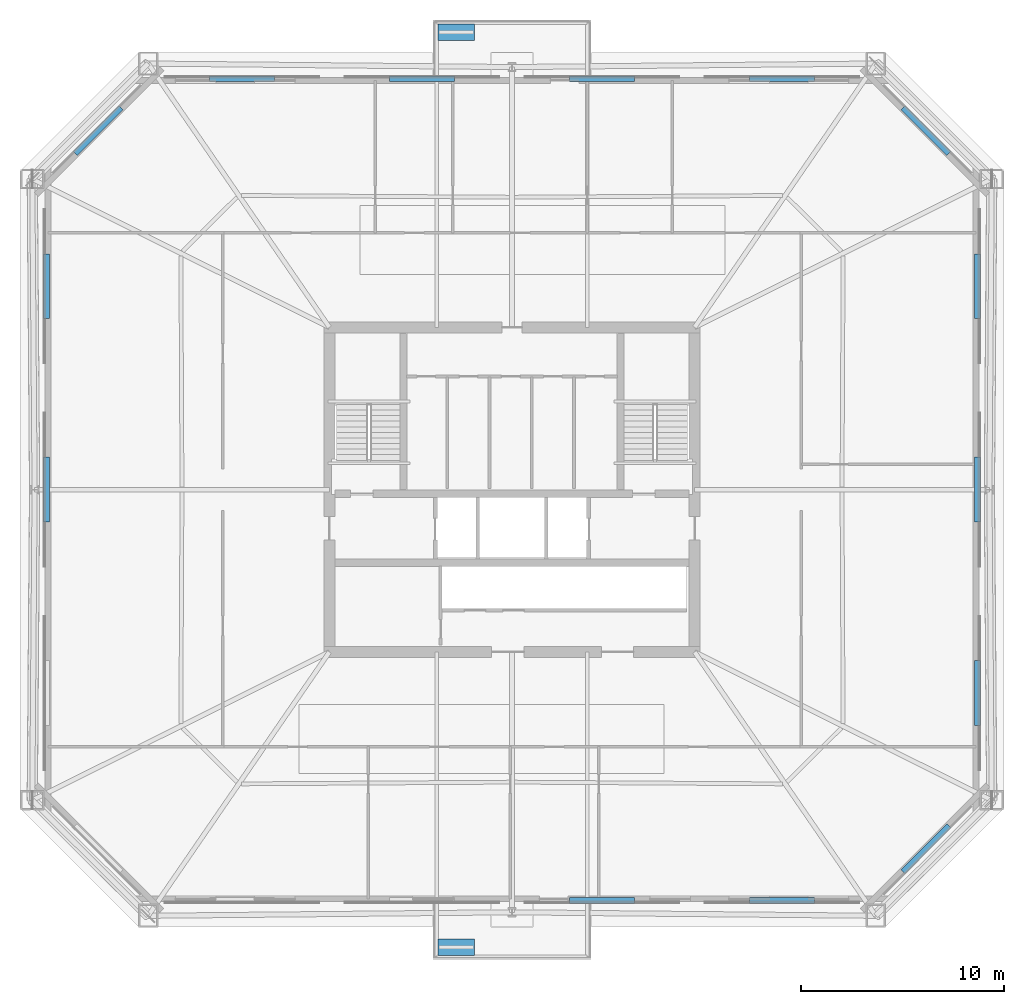
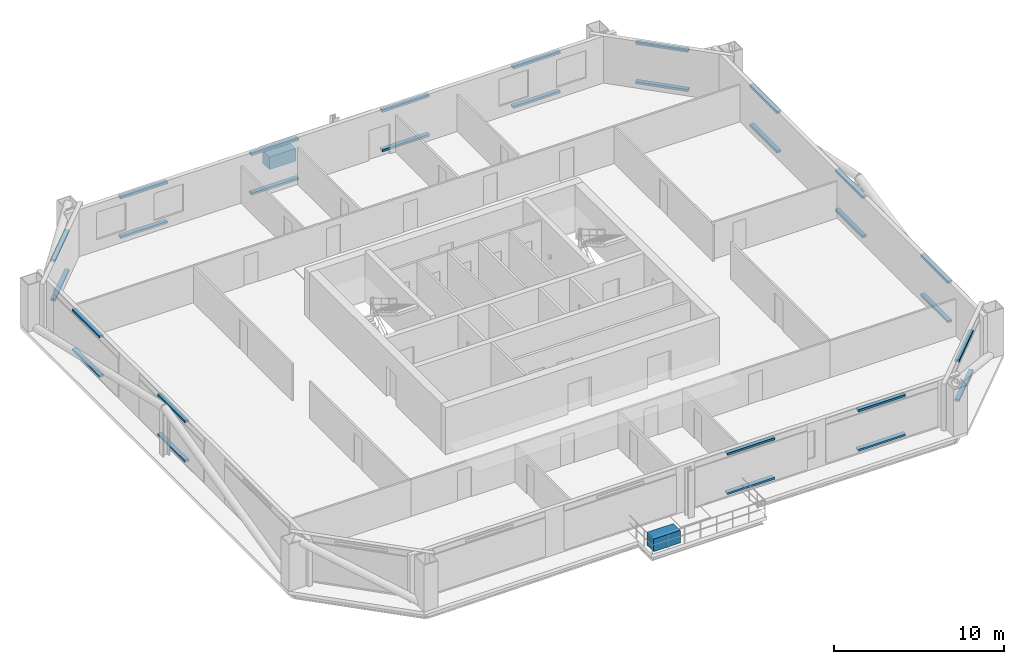
# One storey, part 5 of 7: 30 discrete accessories.
"""IFC4 building model written with IfcOpenShell, lengths in metres."""

from ifc_helpers import new_model, si_unit, direction, frame, origin, origin_2d, place, context, subcontext, project, spatial, rectangle, extrude, material, type_object, element, save


model = new_model("IFC4")

# Units and contexts
model_context = context("Model", 3, precision=1e-05, world=origin(), true_north=direction((0.0, 1.0)))
body_context = subcontext(model_context, "Body", "Model", "MODEL_VIEW")
ifc_project = project(units=[si_unit("LENGTHUNIT", "METRE"), si_unit("AREAUNIT", "SQUARE_METRE"), si_unit("VOLUMEUNIT", "CUBIC_METRE"), si_unit("PLANEANGLEUNIT", "RADIAN"), si_unit("MASSUNIT", "GRAM", prefix="KILO")], contexts=[model_context])

# Site, building, storey
site_placement = place(None, origin())
site = spatial("IfcSite", under=ifc_project, at=site_placement, CompositionType="ELEMENT")
building_placement = place(site_placement, origin())
building = spatial("IfcBuilding", under=site, at=building_placement, Name="Caelvoria Tower", CompositionType="ELEMENT")
storey_placement = place(building_placement, frame((0.0, 0.0, 106.0)))
storey = spatial("IfcBuildingStorey", under=building, at=storey_placement, Name="L27", CompositionType="ELEMENT", Elevation=106.0)

# Discrete accessories
ifc_material_1 = material(Name="Anodised Bronze Stainless Bracket", Category="bronze")
discrete_accessory_type_1 = type_object("IfcDiscreteAccessoryType", Name="Solar Screen Outrigger Support Bracket", PredefinedType="BRACKET", material=ifc_material_1)
for number, where, z_axis, x_axis, name in (
    (1, (50.43505859375, 11.7529296875, 0.240234375), (0.0, 0.0, 1.0), (1.0, 0.0, 0.0), "Solar Screen Bracket L27-E0-02"),
    (2, (50.43505859375, 11.7529296875, 3.06005859375), (0.0, 0.0, 1.0), (1.0, 0.0, 0.0), "Upper Screen Band Bracket L27-E0-02"),
    (3, (59.304931640625, 11.7529296875, 0.240234375), (0.0, 0.0, 1.0), (1.0, 0.0, 0.0), "Solar Screen Bracket L27-E0-03"),
    (4, (59.304931640625, 11.7529296875, 3.06005859375), (0.0, 0.0, 1.0), (1.0, 0.0, 0.0), "Upper Screen Band Bracket L27-E0-03"),
    (5, (66.403564453125, 14.29638671875, 0.240234375), (0.0, 0.0, 1.0), (0.707106781187, 0.707106781187, 0.0), "Solar Screen Bracket L27-E1-00"),
    (6, (66.403564453125, 14.29638671875, 3.06005859375), (0.0, 0.0, 1.0), (0.707106781187, 0.707106781187, 0.0), "Upper Screen Band Bracket L27-E1-00"),
    (7, (68.947021484375, 21.973388671875, 0.240234375), (0.0, 0.0, 1.0), (0.0, 1.0, 0.0), "Solar Screen Bracket L27-E2-00"),
    (8, (68.947021484375, 21.973388671875, 3.06005859375), (0.0, 0.0, 1.0), (0.0, 1.0, 0.0), "Upper Screen Band Bracket L27-E2-00"),
    (9, (68.947021484375, 32.0, 0.240234375), (0.0, 0.0, 1.0), (0.0, 1.0, 0.0), "Solar Screen Bracket L27-E2-01"),
    (10, (68.947021484375, 32.0, 3.06005859375), (0.0, 0.0, 1.0), (0.0, 1.0, 0.0), "Upper Screen Band Bracket L27-E2-01"),
    (11, (68.947021484375, 42.026611328125, 0.240234375), (0.0, 0.0, 1.0), (0.0, 1.0, 0.0), "Solar Screen Bracket L27-E2-02"),
    (12, (68.947021484375, 42.026611328125, 3.06005859375), (0.0, 0.0, 1.0), (0.0, 1.0, 0.0), "Upper Screen Band Bracket L27-E2-02"),
    (13, (66.403564453125, 49.70361328125, 0.240234375), (0.0, 0.0, 1.0), (-0.707106781187, 0.707106781187, 0.0), "Solar Screen Bracket L27-E3-00"),
    (14, (66.403564453125, 49.70361328125, 3.06005859375), (0.0, 0.0, 1.0), (-0.707106781187, 0.707106781187, 0.0), "Upper Screen Band Bracket L27-E3-00"),
    (15, (59.304931640625, 52.2470703125, 0.240234375), (0.0, 0.0, 1.0), (-1.0, 0.0, 0.0), "Solar Screen Bracket L27-E4-00"),
    (16, (59.304931640625, 52.2470703125, 3.06005859375), (0.0, 0.0, 1.0), (-1.0, 0.0, 0.0), "Upper Screen Band Bracket L27-E4-00"),
    (17, (50.43505859375, 52.2470703125, 0.240234375), (0.0, 0.0, 1.0), (-1.0, 0.0, 0.0), "Solar Screen Bracket L27-E4-01"),
    (18, (50.43505859375, 52.2470703125, 3.06005859375), (0.0, 0.0, 1.0), (-1.0, 0.0, 0.0), "Upper Screen Band Bracket L27-E4-01"),
    (19, (41.56494140625, 52.2470703125, 0.240234375), (0.0, 0.0, 1.0), (-1.0, 0.0, 0.0), "Solar Screen Bracket L27-E4-02"),
    (20, (41.56494140625, 52.2470703125, 3.06005859375), (0.0, 0.0, 1.0), (-1.0, 0.0, 0.0), "Upper Screen Band Bracket L27-E4-02"),
    (21, (32.695068359375, 52.2470703125, 0.240234375), (0.0, 0.0, 1.0), (-1.0, 0.0, 0.0), "Solar Screen Bracket L27-E4-03"),
    (22, (32.695068359375, 52.2470703125, 3.06005859375), (0.0, 0.0, 1.0), (-1.0, 0.0, 0.0), "Upper Screen Band Bracket L27-E4-03"),
    (23, (25.596435546875, 49.70361328125, 0.240234375), (0.0, 0.0, 1.0), (-0.707106781187, -0.707106781187, 0.0), "Solar Screen Bracket L27-E5-00"),
    (24, (25.596435546875, 49.70361328125, 3.06005859375), (0.0, 0.0, 1.0), (-0.707106781187, -0.707106781187, 0.0), "Upper Screen Band Bracket L27-E5-00"),
    (25, (23.052978515625, 42.026611328125, 0.240234375), (0.0, 0.0, 1.0), (0.0, -1.0, 0.0), "Solar Screen Bracket L27-E6-00"),
    (26, (23.052978515625, 42.026611328125, 3.06005859375), (0.0, 0.0, 1.0), (0.0, -1.0, 0.0), "Upper Screen Band Bracket L27-E6-00"),
    (27, (23.052978515625, 32.0, 0.240234375), (0.0, 0.0, 1.0), (0.0, -1.0, 0.0), "Solar Screen Bracket L27-E6-01"),
    (28, (23.052978515625, 32.0, 3.06005859375), (0.0, 0.0, 1.0), (0.0, -1.0, 0.0), "Upper Screen Band Bracket L27-E6-01"),
):
    element("IfcDiscreteAccessory", number, at=place(storey_placement, frame(where, z_axis=z_axis, x_axis=x_axis)), inside=storey, type_object=discrete_accessory_type_1, Name=name, PredefinedType="BRACKET", context=body_context, shape_type="SweptSolid", body=[
        extrude(rectangle(XDim=3.199951171875, YDim=0.280029296875, at=origin_2d()), origin(), (0.0, 0.0, 1.0), 0.159912109375),
    ])
ifc_material_2 = material(Name="Bronze-Clad Concrete C40/50 Planter Vessel", Category="concrete")
discrete_accessory_type_2 = type_object("IfcDiscreteAccessoryType", Name="Tree Balcony Structural Planter Vessel PLANTER", PredefinedType="USERDEFINED", material=ifc_material_2)
for number, where, z_axis, x_axis, name in (
    (29, (43.25, 9.449951171875, 0.0), (0.0, 0.0, 1.0), (1.0, 0.0, 0.0), "Tree Balcony Planter TB-L27-S"),
    (30, (43.25, 54.550048828125, 0.0), (0.0, 0.0, 1.0), (1.0, 0.0, 0.0), "Tree Balcony Planter TB-L27-N"),
):
    element("IfcDiscreteAccessory", number, at=place(storey_placement, frame(where, z_axis=z_axis, x_axis=x_axis)), inside=storey, type_object=discrete_accessory_type_2, Name=name, ObjectType="PLANTER", PredefinedType="USERDEFINED", context=body_context, shape_type="SweptSolid", body=[
        extrude(rectangle(XDim=1.800048828125, YDim=0.800048828125, at=origin_2d()), origin(), (0.0, 0.0, 1.0), 0.89990234375),
    ])

save(model, "model.ifc")
